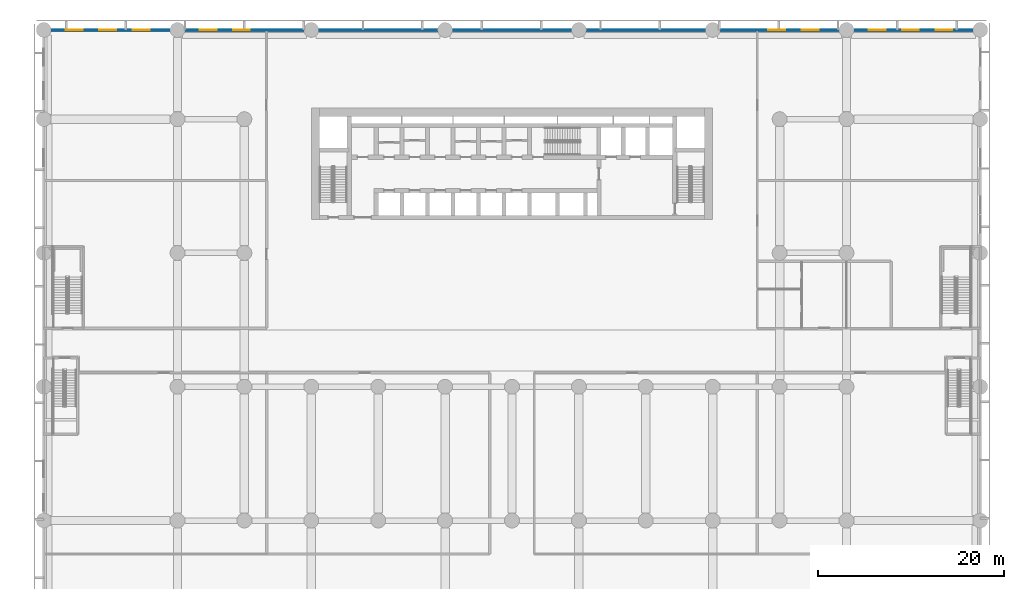
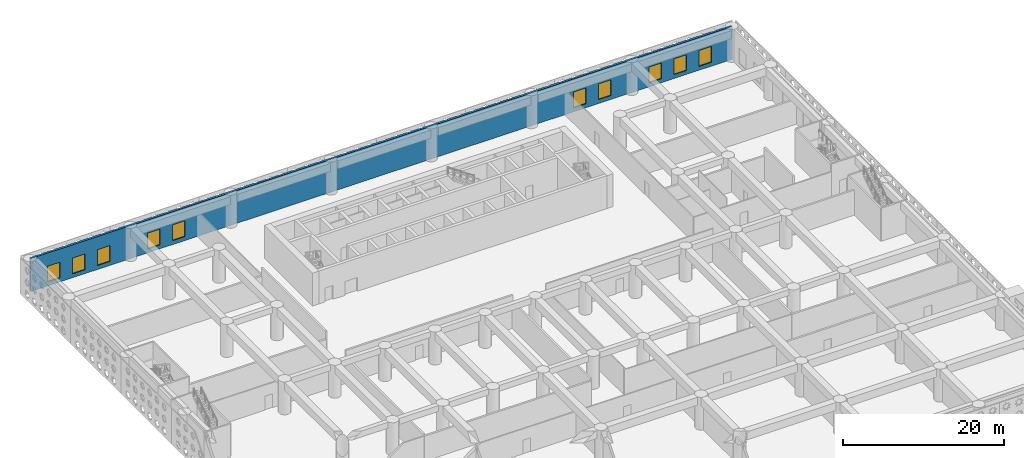
# One storey, part 9 of 30: 10 windows, 1 wall, 10 openings.
"""IFC4 building model written with IfcOpenShell, lengths in metres."""

from ifc_helpers import new_model, si_unit, direction, frame, frame_2d, origin, place, context, subcontext, project, spatial, rectangle, extrude, material, layer, layer_set, type_object, element, fill, save


model = new_model("IFC4")

# Units and contexts
model_context = context("Model", 3, precision=1e-05, world=origin(), true_north=direction((0.0, 1.0)))
body_context = subcontext(model_context, "Body", "Model", "MODEL_VIEW")
ifc_project = project(units=[si_unit("LENGTHUNIT", "METRE"), si_unit("AREAUNIT", "SQUARE_METRE"), si_unit("VOLUMEUNIT", "CUBIC_METRE"), si_unit("PLANEANGLEUNIT", "RADIAN"), si_unit("MASSUNIT", "GRAM", prefix="KILO")], contexts=[model_context])

# Site, building, storey
site_placement = place(None, origin())
site = spatial("IfcSite", under=ifc_project, at=site_placement, CompositionType="ELEMENT")
building_placement = place(site_placement, origin())
building = spatial("IfcBuilding", under=site, at=building_placement, Name="Saffron Iwan Residences", CompositionType="ELEMENT")
storey_placement = place(building_placement, frame((0.0, 0.0, 7.800048828125)))
storey = spatial("IfcBuildingStorey", under=building, at=storey_placement, Name="L01", CompositionType="ELEMENT", Elevation=7.800048828125)

# Wall, openings, windows
ifc_material_1 = material(Name="Precast concrete C40/50", Category="concrete")
ifc_layer = layer(ifc_material_1, 0.300048828125)
ifc_layer_set = layer_set([ifc_layer], Name="Precast concrete C40/50")
wall_type = type_object("IfcWallType", Name="Podium external wall 300", PredefinedType="SOLIDWALL", material=ifc_layer_set)
wall_placement = place(storey_placement, frame((0.0, 86.39990234375, 0.0), z_axis=(0.0, 0.0, 1.0), x_axis=(1.0, 0.0, 0.0)))
wall = element("IfcWall", 1, at=wall_placement, inside=storey, type_object=wall_type, Name="W-L01-027", PredefinedType="SOLIDWALL", context=body_context, shape_type="SweptSolid", body=[
    extrude(rectangle(XDim=100.800048828125, YDim=0.300048828125, at=frame_2d((50.39990234375, 0.0))), origin(), (0.0, 0.0, 1.0), 5.0),
])
opening_1_placement = place(wall_placement, frame((2.39990234375, 0.0, 0.60009765625)))
opening_1 = element("IfcOpeningElement", 2, at=opening_1_placement, cuts=wall, Name="Opening W7", PredefinedType="OPENING", context=body_context, shape_type="SweptSolid", body=[
    extrude(rectangle(XDim=1.800048828125, YDim=2.39990234375, at=frame_2d((0.89990234375, 1.199951171875))), frame((0.0, 0.16015625, 0.0), z_axis=(0.0, -1.0, 0.0), x_axis=(1.0, 0.0, 0.0)), (0.0, 0.0, 1.0), 0.320068359375),
])
opening_2_placement = place(wall_placement, frame((6.0, 0.0, 0.60009765625)))
opening_2 = element("IfcOpeningElement", 3, at=opening_2_placement, cuts=wall, Name="Opening W7", PredefinedType="OPENING", context=body_context, shape_type="SweptSolid", body=[
    extrude(rectangle(XDim=1.800048828125, YDim=2.39990234375, at=frame_2d((0.89990234375, 1.199951171875))), frame((0.0, 0.16015625, 0.0), z_axis=(0.0, -1.0, 0.0), x_axis=(1.0, 0.0, 0.0)), (0.0, 0.0, 1.0), 0.320068359375),
])
opening_3_placement = place(wall_placement, frame((9.60009765625, 0.0, 0.60009765625)))
opening_3 = element("IfcOpeningElement", 4, at=opening_3_placement, cuts=wall, Name="Opening W7", PredefinedType="OPENING", context=body_context, shape_type="SweptSolid", body=[
    extrude(rectangle(XDim=1.800048828125, YDim=2.39990234375, at=frame_2d((0.89990234375, 1.199951171875))), frame((0.0, 0.16015625, 0.0), z_axis=(0.0, -1.0, 0.0), x_axis=(1.0, 0.0, 0.0)), (0.0, 0.0, 1.0), 0.320068359375),
])
opening_4_placement = place(wall_placement, frame((16.800048828125, 0.0, 0.60009765625)))
opening_4 = element("IfcOpeningElement", 5, at=opening_4_placement, cuts=wall, Name="Opening W7", PredefinedType="OPENING", context=body_context, shape_type="SweptSolid", body=[
    extrude(rectangle(XDim=1.800048828125, YDim=2.39990234375, at=frame_2d((0.89990234375, 1.199951171875))), frame((0.0, 0.16015625, 0.0), z_axis=(0.0, -1.0, 0.0), x_axis=(1.0, 0.0, 0.0)), (0.0, 0.0, 1.0), 0.320068359375),
])
opening_5_placement = place(wall_placement, frame((20.39990234375, 0.0, 0.60009765625)))
opening_5 = element("IfcOpeningElement", 6, at=opening_5_placement, cuts=wall, Name="Opening W7", PredefinedType="OPENING", context=body_context, shape_type="SweptSolid", body=[
    extrude(rectangle(XDim=1.800048828125, YDim=2.39990234375, at=frame_2d((0.89990234375, 1.199951171875))), frame((0.0, 0.16015625, 0.0), z_axis=(0.0, -1.0, 0.0), x_axis=(1.0, 0.0, 0.0)), (0.0, 0.0, 1.0), 0.320068359375),
])
opening_6_placement = place(wall_placement, frame((78.0, 0.0, 0.60009765625)))
opening_6 = element("IfcOpeningElement", 7, at=opening_6_placement, cuts=wall, Name="Opening W7", PredefinedType="OPENING", context=body_context, shape_type="SweptSolid", body=[
    extrude(rectangle(XDim=1.800048828125, YDim=2.39990234375, at=frame_2d((0.89990234375, 1.199951171875))), frame((0.0, 0.16015625, 0.0), z_axis=(0.0, -1.0, 0.0), x_axis=(1.0, 0.0, 0.0)), (0.0, 0.0, 1.0), 0.320068359375),
])
opening_7_placement = place(wall_placement, frame((81.60009765625, 0.0, 0.60009765625)))
opening_7 = element("IfcOpeningElement", 8, at=opening_7_placement, cuts=wall, Name="Opening W7", PredefinedType="OPENING", context=body_context, shape_type="SweptSolid", body=[
    extrude(rectangle(XDim=1.800048828125, YDim=2.39990234375, at=frame_2d((0.89990234375, 1.199951171875))), frame((0.0, 0.16015625, 0.0), z_axis=(0.0, -1.0, 0.0), x_axis=(1.0, 0.0, 0.0)), (0.0, 0.0, 1.0), 0.320068359375),
])
opening_8_placement = place(wall_placement, frame((88.800048828125, 0.0, 0.60009765625)))
opening_8 = element("IfcOpeningElement", 9, at=opening_8_placement, cuts=wall, Name="Opening W7", PredefinedType="OPENING", context=body_context, shape_type="SweptSolid", body=[
    extrude(rectangle(XDim=1.800048828125, YDim=2.39990234375, at=frame_2d((0.89990234375, 1.199951171875))), frame((0.0, 0.16015625, 0.0), z_axis=(0.0, -1.0, 0.0), x_axis=(1.0, 0.0, 0.0)), (0.0, 0.0, 1.0), 0.320068359375),
])
opening_9_placement = place(wall_placement, frame((92.39990234375, 0.0, 0.60009765625)))
opening_9 = element("IfcOpeningElement", 10, at=opening_9_placement, cuts=wall, Name="Opening W7", PredefinedType="OPENING", context=body_context, shape_type="SweptSolid", body=[
    extrude(rectangle(XDim=1.800048828125, YDim=2.39990234375, at=frame_2d((0.89990234375, 1.199951171875))), frame((0.0, 0.16015625, 0.0), z_axis=(0.0, -1.0, 0.0), x_axis=(1.0, 0.0, 0.0)), (0.0, 0.0, 1.0), 0.320068359375),
])
opening_10_placement = place(wall_placement, frame((96.0, 0.0, 0.60009765625)))
opening_10 = element("IfcOpeningElement", 11, at=opening_10_placement, cuts=wall, Name="Opening W7", PredefinedType="OPENING", context=body_context, shape_type="SweptSolid", body=[
    extrude(rectangle(XDim=1.800048828125, YDim=2.39990234375, at=frame_2d((0.89990234375, 1.199951171875))), frame((0.0, 0.16015625, 0.0), z_axis=(0.0, -1.0, 0.0), x_axis=(1.0, 0.0, 0.0)), (0.0, 0.0, 1.0), 0.320068359375),
])
ifc_material_2 = material(Name="Clear glass, laminated double glazed", Category="glass")
window_type = type_object("IfcWindowType", Name="WINDOW 1800 x 2400 PODIUM", PartitioningType="DOUBLE_PANEL_VERTICAL", PredefinedType="WINDOW", material=ifc_material_2)
window_1_placement = place(opening_1_placement, origin())
window_1 = element("IfcWindow", 12, at=window_1_placement, inside=storey, type_object=window_type, Name="Window L01 W-L01-027.0", OverallHeight=2.39990234375, OverallWidth=1.800048828125, PartitioningType="DOUBLE_PANEL_VERTICAL", PredefinedType="WINDOW", context=body_context, shape_type="SweptSolid", body=[
    extrude(rectangle(XDim=1.800048828125, YDim=2.39990234375, at=frame_2d((0.89990234375, 1.199951171875))), frame((0.0, 0.030029296875, 0.0), z_axis=(0.0, -1.0, 0.0), x_axis=(1.0, 0.0, 0.0)), (0.0, 0.0, 1.0), 0.06005859375),
])
fill(opening_1, window_1)
window_2_placement = place(opening_2_placement, origin())
window_2 = element("IfcWindow", 13, at=window_2_placement, inside=storey, type_object=window_type, Name="Window L01 W-L01-027.1", OverallHeight=2.39990234375, OverallWidth=1.800048828125, PartitioningType="DOUBLE_PANEL_VERTICAL", PredefinedType="WINDOW", context=body_context, shape_type="SweptSolid", body=[
    extrude(rectangle(XDim=1.800048828125, YDim=2.39990234375, at=frame_2d((0.89990234375, 1.199951171875))), frame((0.0, 0.030029296875, 0.0), z_axis=(0.0, -1.0, 0.0), x_axis=(1.0, 0.0, 0.0)), (0.0, 0.0, 1.0), 0.06005859375),
])
fill(opening_2, window_2)
window_3_placement = place(opening_3_placement, origin())
window_3 = element("IfcWindow", 14, at=window_3_placement, inside=storey, type_object=window_type, Name="Window L01 W-L01-027.2", OverallHeight=2.39990234375, OverallWidth=1.800048828125, PartitioningType="DOUBLE_PANEL_VERTICAL", PredefinedType="WINDOW", context=body_context, shape_type="SweptSolid", body=[
    extrude(rectangle(XDim=1.800048828125, YDim=2.39990234375, at=frame_2d((0.89990234375, 1.199951171875))), frame((0.0, 0.030029296875, 0.0), z_axis=(0.0, -1.0, 0.0), x_axis=(1.0, 0.0, 0.0)), (0.0, 0.0, 1.0), 0.06005859375),
])
fill(opening_3, window_3)
window_4_placement = place(opening_4_placement, origin())
window_4 = element("IfcWindow", 15, at=window_4_placement, inside=storey, type_object=window_type, Name="Window L01 W-L01-027.3", OverallHeight=2.39990234375, OverallWidth=1.800048828125, PartitioningType="DOUBLE_PANEL_VERTICAL", PredefinedType="WINDOW", context=body_context, shape_type="SweptSolid", body=[
    extrude(rectangle(XDim=1.800048828125, YDim=2.39990234375, at=frame_2d((0.89990234375, 1.199951171875))), frame((0.0, 0.030029296875, 0.0), z_axis=(0.0, -1.0, 0.0), x_axis=(1.0, 0.0, 0.0)), (0.0, 0.0, 1.0), 0.06005859375),
])
fill(opening_4, window_4)
window_5_placement = place(opening_5_placement, origin())
window_5 = element("IfcWindow", 16, at=window_5_placement, inside=storey, type_object=window_type, Name="Window L01 W-L01-027.4", OverallHeight=2.39990234375, OverallWidth=1.800048828125, PartitioningType="DOUBLE_PANEL_VERTICAL", PredefinedType="WINDOW", context=body_context, shape_type="SweptSolid", body=[
    extrude(rectangle(XDim=1.800048828125, YDim=2.39990234375, at=frame_2d((0.89990234375, 1.199951171875))), frame((0.0, 0.030029296875, 0.0), z_axis=(0.0, -1.0, 0.0), x_axis=(1.0, 0.0, 0.0)), (0.0, 0.0, 1.0), 0.06005859375),
])
fill(opening_5, window_5)
window_6_placement = place(opening_6_placement, origin())
window_6 = element("IfcWindow", 17, at=window_6_placement, inside=storey, type_object=window_type, Name="Window L01 W-L01-027.5", OverallHeight=2.39990234375, OverallWidth=1.800048828125, PartitioningType="DOUBLE_PANEL_VERTICAL", PredefinedType="WINDOW", context=body_context, shape_type="SweptSolid", body=[
    extrude(rectangle(XDim=1.800048828125, YDim=2.39990234375, at=frame_2d((0.89990234375, 1.199951171875))), frame((0.0, 0.030029296875, 0.0), z_axis=(0.0, -1.0, 0.0), x_axis=(1.0, 0.0, 0.0)), (0.0, 0.0, 1.0), 0.06005859375),
])
fill(opening_6, window_6)
window_7_placement = place(opening_7_placement, origin())
window_7 = element("IfcWindow", 18, at=window_7_placement, inside=storey, type_object=window_type, Name="Window L01 W-L01-027.6", OverallHeight=2.39990234375, OverallWidth=1.800048828125, PartitioningType="DOUBLE_PANEL_VERTICAL", PredefinedType="WINDOW", context=body_context, shape_type="SweptSolid", body=[
    extrude(rectangle(XDim=1.800048828125, YDim=2.39990234375, at=frame_2d((0.89990234375, 1.199951171875))), frame((0.0, 0.030029296875, 0.0), z_axis=(0.0, -1.0, 0.0), x_axis=(1.0, 0.0, 0.0)), (0.0, 0.0, 1.0), 0.06005859375),
])
fill(opening_7, window_7)
window_8_placement = place(opening_8_placement, origin())
window_8 = element("IfcWindow", 19, at=window_8_placement, inside=storey, type_object=window_type, Name="Window L01 W-L01-027.7", OverallHeight=2.39990234375, OverallWidth=1.800048828125, PartitioningType="DOUBLE_PANEL_VERTICAL", PredefinedType="WINDOW", context=body_context, shape_type="SweptSolid", body=[
    extrude(rectangle(XDim=1.800048828125, YDim=2.39990234375, at=frame_2d((0.89990234375, 1.199951171875))), frame((0.0, 0.030029296875, 0.0), z_axis=(0.0, -1.0, 0.0), x_axis=(1.0, 0.0, 0.0)), (0.0, 0.0, 1.0), 0.06005859375),
])
fill(opening_8, window_8)
window_9_placement = place(opening_9_placement, origin())
window_9 = element("IfcWindow", 20, at=window_9_placement, inside=storey, type_object=window_type, Name="Window L01 W-L01-027.8", OverallHeight=2.39990234375, OverallWidth=1.800048828125, PartitioningType="DOUBLE_PANEL_VERTICAL", PredefinedType="WINDOW", context=body_context, shape_type="SweptSolid", body=[
    extrude(rectangle(XDim=1.800048828125, YDim=2.39990234375, at=frame_2d((0.89990234375, 1.199951171875))), frame((0.0, 0.030029296875, 0.0), z_axis=(0.0, -1.0, 0.0), x_axis=(1.0, 0.0, 0.0)), (0.0, 0.0, 1.0), 0.06005859375),
])
fill(opening_9, window_9)
window_10_placement = place(opening_10_placement, origin())
window_10 = element("IfcWindow", 21, at=window_10_placement, inside=storey, type_object=window_type, Name="Window L01 W-L01-027.9", OverallHeight=2.39990234375, OverallWidth=1.800048828125, PartitioningType="DOUBLE_PANEL_VERTICAL", PredefinedType="WINDOW", context=body_context, shape_type="SweptSolid", body=[
    extrude(rectangle(XDim=1.800048828125, YDim=2.39990234375, at=frame_2d((0.89990234375, 1.199951171875))), frame((0.0, 0.030029296875, 0.0), z_axis=(0.0, -1.0, 0.0), x_axis=(1.0, 0.0, 0.0)), (0.0, 0.0, 1.0), 0.06005859375),
])
fill(opening_10, window_10)

save(model, "model.ifc")
